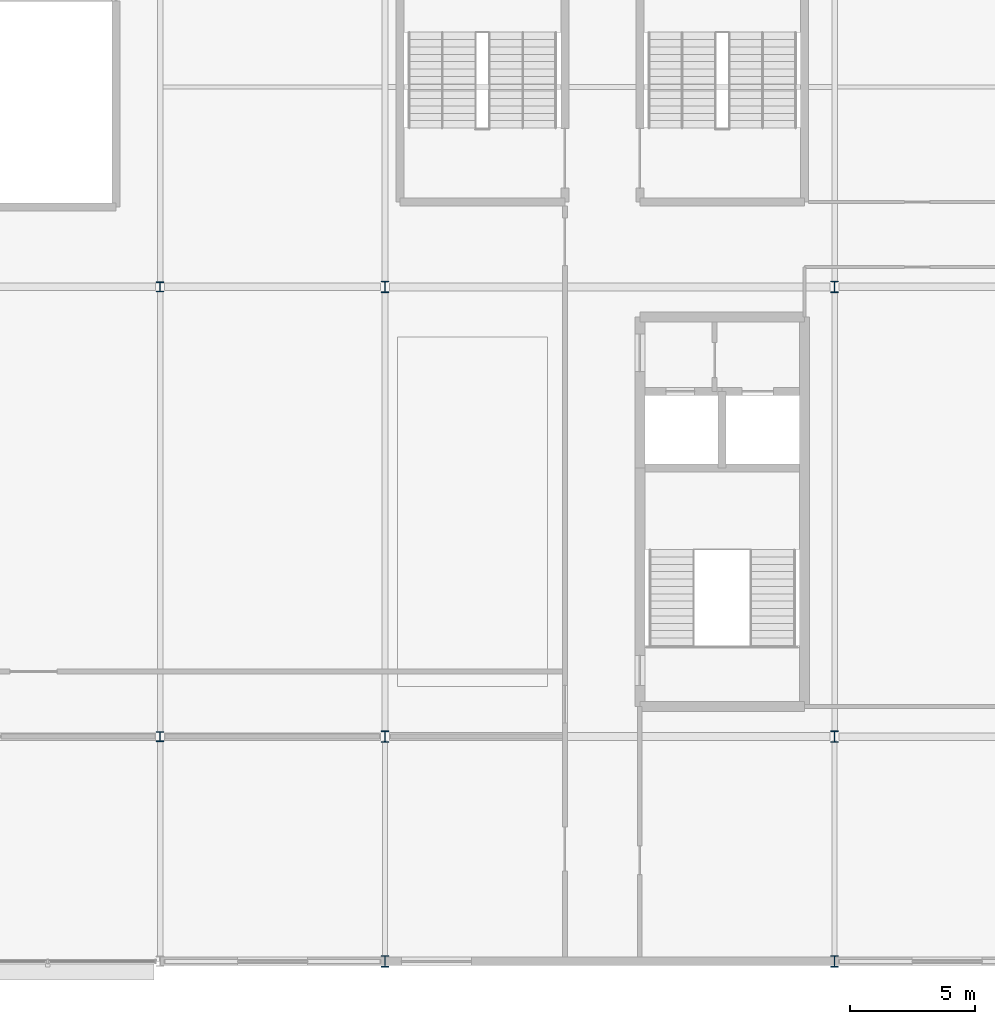
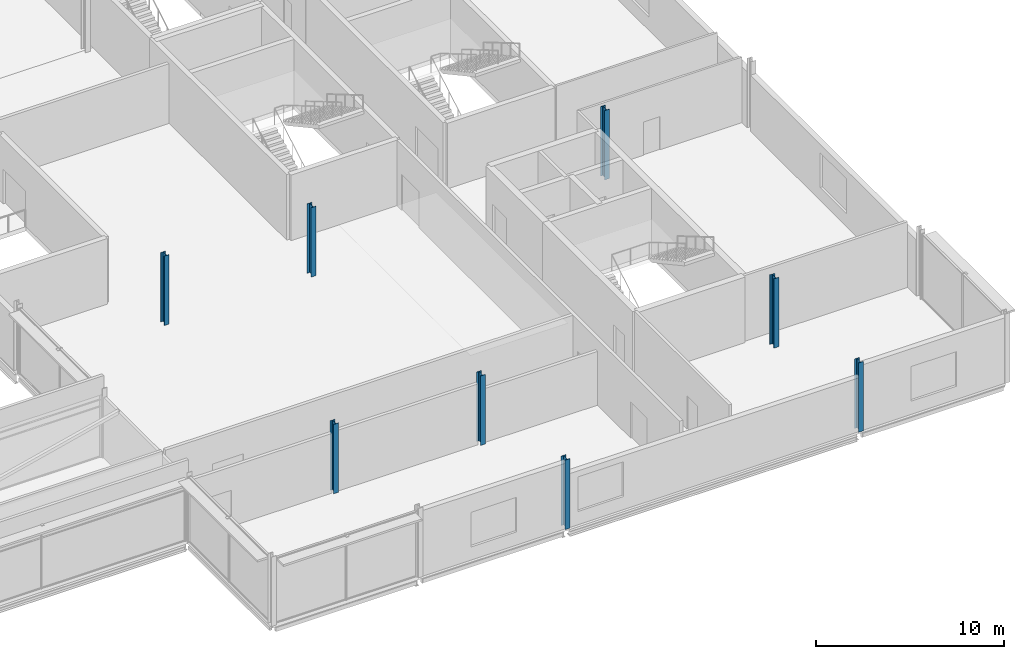
# One storey, part 8 of 73: 8 columns.
"""IFC4 building model written with IfcOpenShell, lengths in metres."""

from ifc_helpers import new_model, si_unit, direction, frame, origin, origin_2d, place, context, subcontext, project, spatial, i_section, extrude, material, material_profile, profile_set, type_object, element, save


model = new_model("IFC4")

# Units and contexts
model_context = context("Model", 3, precision=1e-05, world=origin(), true_north=direction((0.0, 1.0)))
body_context = subcontext(model_context, "Body", "Model", "MODEL_VIEW")
ifc_project = project(units=[si_unit("LENGTHUNIT", "METRE"), si_unit("AREAUNIT", "SQUARE_METRE"), si_unit("VOLUMEUNIT", "CUBIC_METRE"), si_unit("PLANEANGLEUNIT", "RADIAN"), si_unit("MASSUNIT", "GRAM", prefix="KILO")], contexts=[model_context])

# Site, building, storey
site_placement = place(None, origin())
site = spatial("IfcSite", under=ifc_project, at=site_placement, CompositionType="ELEMENT")
building_placement = place(site_placement, origin())
building = spatial("IfcBuilding", under=site, at=building_placement, Name="Kisiwana Market Hall", CompositionType="ELEMENT")
storey_placement = place(building_placement, frame((0.0, 0.0, 33.300048828125)))
storey = spatial("IfcBuildingStorey", under=building, at=storey_placement, Name="L07", CompositionType="ELEMENT", Elevation=33.300048828125)

# Columns
ifc_material_1 = material(Name="Steel S355", Category="steel")
ifc_material_profile_1 = material_profile(ifc_material_1, i_section(OverallWidth=0.300048828125, OverallDepth=0.39990234375, WebThickness=0.013427734375, FlangeThickness=0.02392578125, FilletRadius=0.027099609375, at=origin_2d()), Name="HEB 400")
ifc_profile_set_1 = profile_set([ifc_material_profile_1], Name="Steel S355")
column_type_1 = type_object("IfcColumnType", Name="COL-STL-HEB400", PredefinedType="COLUMN", material=ifc_profile_set_1)
for number, where, z_axis, x_axis, name in (
    (1, (162.0, 18.0, 0.0), (0.0, 0.0, 1.0), (1.0, 0.0, 0.0), "Column C/19 (L07) C-1125"),
    (2, (162.0, 36.0, 0.0), (0.0, 0.0, 1.0), (1.0, 0.0, 0.0), "Column E/19 (L07) C-1126"),
):
    element("IfcColumn", number, at=place(storey_placement, frame(where, z_axis=z_axis, x_axis=x_axis)), inside=storey, type_object=column_type_1, Name=name, PredefinedType="COLUMN", context=body_context, shape_type="SweptSolid", body=[
        extrude(i_section(OverallWidth=0.300048828125, OverallDepth=0.39990234375, WebThickness=0.013427734375, FlangeThickness=0.02392578125, FilletRadius=0.027099609375, at=origin_2d()), origin(), (0.0, 0.0, 1.0), 4.5),
    ])
ifc_material_2 = material(Name="Steel S355", Category="steel")
ifc_material_profile_2 = material_profile(ifc_material_2, i_section(OverallWidth=0.300048828125, OverallDepth=0.449951171875, WebThickness=0.013916015625, FlangeThickness=0.02587890625, FilletRadius=0.027099609375, at=origin_2d()), Name="HEB 450")
ifc_profile_set_2 = profile_set([ifc_material_profile_2], Name="Steel S355")
column_type_2 = type_object("IfcColumnType", Name="COL-STL-HEB450", PredefinedType="COLUMN", material=ifc_profile_set_2)
for number, where, z_axis, x_axis, name in (
    (3, (171.0, 9.0, 0.0), (0.0, 0.0, 1.0), (1.0, 0.0, 0.0), "Column B/20 (L07) C-1130"),
    (4, (171.0, 18.0, 0.0), (0.0, 0.0, 1.0), (1.0, 0.0, 0.0), "Column C/20 (L07) C-1131"),
    (5, (171.0, 36.0, 0.0), (0.0, 0.0, 1.0), (1.0, 0.0, 0.0), "Column E/20 (L07) C-1132"),
    (6, (189.0, 9.0, 0.0), (0.0, 0.0, 1.0), (1.0, 0.0, 0.0), "Column B/22 (L07) C-1137"),
    (7, (189.0, 18.0, 0.0), (0.0, 0.0, 1.0), (1.0, 0.0, 0.0), "Column C/22 (L07) C-1138"),
    (8, (189.0, 36.0, 0.0), (0.0, 0.0, 1.0), (1.0, 0.0, 0.0), "Column E/22 (L07) C-1139"),
):
    element("IfcColumn", number, at=place(storey_placement, frame(where, z_axis=z_axis, x_axis=x_axis)), inside=storey, type_object=column_type_2, Name=name, PredefinedType="COLUMN", context=body_context, shape_type="SweptSolid", body=[
        extrude(i_section(OverallWidth=0.300048828125, OverallDepth=0.449951171875, WebThickness=0.013916015625, FlangeThickness=0.02587890625, FilletRadius=0.027099609375, at=origin_2d()), origin(), (0.0, 0.0, 1.0), 4.5),
    ])

save(model, "model.ifc")
